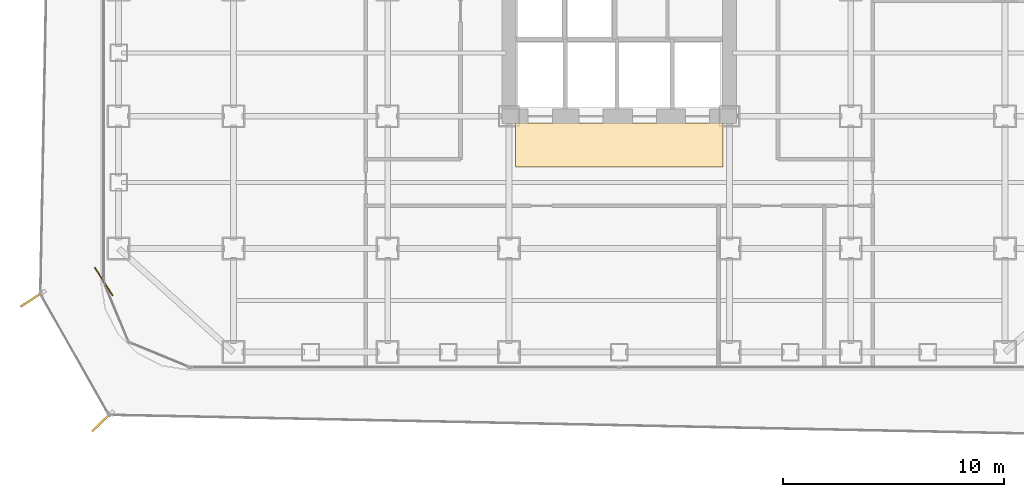
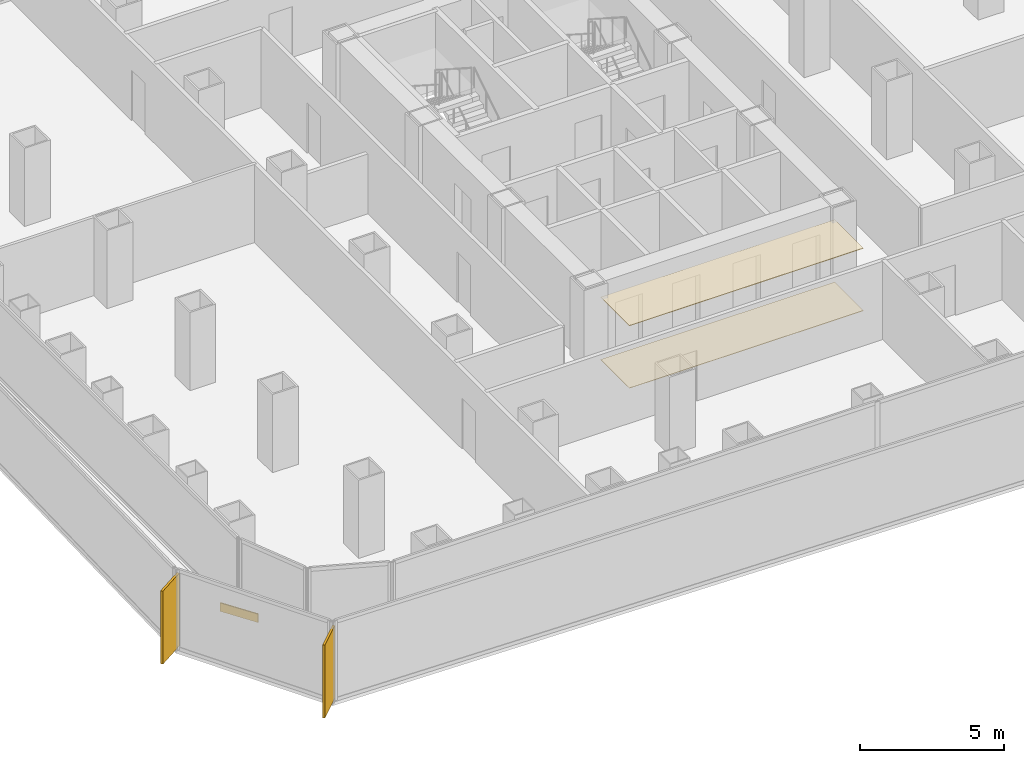
# One storey, part 19 of 21: 3 coverings, 2 shading devices.
"""IFC4 building model written with IfcOpenShell, lengths in metres."""

from ifc_helpers import new_model, si_unit, direction, frame, origin, origin_2d, place, context, subcontext, project, spatial, polyline, rectangle, outline, extrude, source, transform, mapped, material, layer, layer_set, type_object, element, save


model = new_model("IFC4")

# Units and contexts
model_context = context("Model", 3, precision=1e-05, world=origin(), true_north=direction((0.0, 1.0)))
body_context = subcontext(model_context, "Body", "Model", "MODEL_VIEW")
ifc_project = project(units=[si_unit("LENGTHUNIT", "METRE"), si_unit("AREAUNIT", "SQUARE_METRE"), si_unit("VOLUMEUNIT", "CUBIC_METRE"), si_unit("PLANEANGLEUNIT", "RADIAN"), si_unit("MASSUNIT", "GRAM", prefix="KILO")], contexts=[model_context])

# Site, building, storey
site_placement = place(None, origin())
site = spatial("IfcSite", under=ifc_project, at=site_placement, CompositionType="ELEMENT")
building_placement = place(site_placement, origin())
building = spatial("IfcBuilding", under=site, at=building_placement, Name="Kolveth Station Tower", CompositionType="ELEMENT")
storey_placement = place(building_placement, frame((0.0, 0.0, 62.10009765625)))
storey = spatial("IfcBuildingStorey", under=building, at=storey_placement, Name="L16", CompositionType="ELEMENT", Elevation=62.10009765625)

# Coverings
ifc_material_1 = material(Name="Acoustic mineral-fibre ceiling tile")
ifc_layer_1 = layer(ifc_material_1, 0.02490234375)
ifc_layer_set_1 = layer_set([ifc_layer_1], Name="Acoustic mineral-fibre ceiling tile")
covering_type_1 = type_object("IfcCoveringType", Name="Ceil_CL1", PredefinedType="CEILING", material=ifc_layer_set_1)
covering_1_placement = place(storey_placement, frame((0.0, 0.0, 2.64990234375)))
element("IfcCovering", 1, at=covering_1_placement, inside=storey, type_object=covering_type_1, Name="L16 Lift Lobby Suspended Ceiling", PredefinedType="CEILING", context=body_context, shape_type="SweptSolid", body=[
    extrude(outline(polyline([(18.800048828125, 9.199951171875), (28.199951171875, 9.199951171875), (28.199951171875, 11.199951171875), (18.800048828125, 11.199951171875), (18.800048828125, 9.199951171875)])), origin(), (0.0, 0.0, 1.0), 0.02490234375),
])
ifc_material_2 = material(Name="Honed terrazzo flooring")
ifc_layer_2 = layer(ifc_material_2, 0.02001953125)
ifc_layer_set_2 = layer_set([ifc_layer_2], Name="Honed terrazzo flooring")
covering_type_2 = type_object("IfcCoveringType", Name="Floor_FL1", PredefinedType="FLOORING", material=ifc_layer_set_2)
covering_2_placement = place(storey_placement, origin())
element("IfcCovering", 2, at=covering_2_placement, inside=storey, type_object=covering_type_2, Name="L16 Lift Lobby Floor Finish", PredefinedType="FLOORING", context=body_context, shape_type="SweptSolid", body=[
    extrude(outline(polyline([(18.800048828125, 9.199951171875), (28.199951171875, 9.199951171875), (28.199951171875, 11.199951171875), (18.800048828125, 11.199951171875), (18.800048828125, 9.199951171875)])), origin(), (0.0, 0.0, 1.0), 0.02001953125),
])

# Shading devices
ifc_material_3 = material(Name="Black anodized aluminium 6063-T6", Category="aluminium")
shading_device_type = type_object("IfcShadingDeviceType", Name="FIN_VF1", PredefinedType="USERDEFINED", material=ifc_material_3)
shared_shape_1 = source(origin(), body_context, "Body", "SweptSolid", [
    extrude(rectangle(XDim=1.25, YDim=0.090087890625, at=origin_2d()), origin(), (0.0, 0.0, 1.0), 3.10009765625),
])
for number, where, z_axis, x_axis, name in (
    (3, (-3.125, 3.202880859375, -0.000244140625), (0.0, 0.0, 1.0), (-0.842170181815, -0.539211818177, 0.0), "L16 Dark-Aluminium Solar Fin 7"),
    (4, (0.0419921875, -2.35791015625, -0.000244140625), (0.0, 0.0, 1.0), (-0.720066850328, -0.69390469883, 0.0), "L16 Dark-Aluminium Solar Fin 8"),
):
    element("IfcShadingDevice", number, at=place(storey_placement, frame(where, z_axis=z_axis, x_axis=x_axis)), inside=storey, type_object=shading_device_type, Name=name, ObjectType="FIN", PredefinedType="USERDEFINED", context=body_context, shape_type="MappedRepresentation", body=[
        mapped(shared_shape_1, transform((0.0, 0.0, 0.0), x_axis=(1.0, 0.0, 0.0), y_axis=(0.0, 1.0, 0.0), z_axis=(0.0, 0.0, 1.0), scale=1.0)),
    ])

# Covering
ifc_material_4 = material(Name="Charcoal anodized aluminium spandrel cladding", Category="aluminium")
ifc_layer_3 = layer(ifc_material_4, 0.044921875)
ifc_layer_set_3 = layer_set([ifc_layer_3], Name="Charcoal anodized aluminium spandrel cladding")
covering_type_3 = type_object("IfcCoveringType", Name="Clad_CD1", PredefinedType="CLADDING", material=ifc_layer_set_3)
shared_shape_2 = source(origin(), body_context, "Body", "SweptSolid", [
    extrude(rectangle(XDim=1.5, YDim=0.044921875, at=origin_2d()), origin(), (0.0, 0.0, 1.0), 0.360107421875),
])
covering_3_placement = place(storey_placement, frame((0.1201171875, 4.0, 0.0), z_axis=(0.0, 0.0, 1.0), x_axis=(0.539211818177, -0.842170181815, 0.0)))
element("IfcCovering", 5, at=covering_3_placement, inside=storey, type_object=covering_type_3, Name="L16 Spandrel Edge Cladding 7", PredefinedType="CLADDING", context=body_context, shape_type="MappedRepresentation", body=[
    mapped(shared_shape_2, transform((0.0, 0.0, 0.0), x_axis=(1.0, 0.0, 0.0), y_axis=(0.0, 1.0, 0.0), z_axis=(0.0, 0.0, 1.0), scale=1.0)),
])

save(model, "model.ifc")
